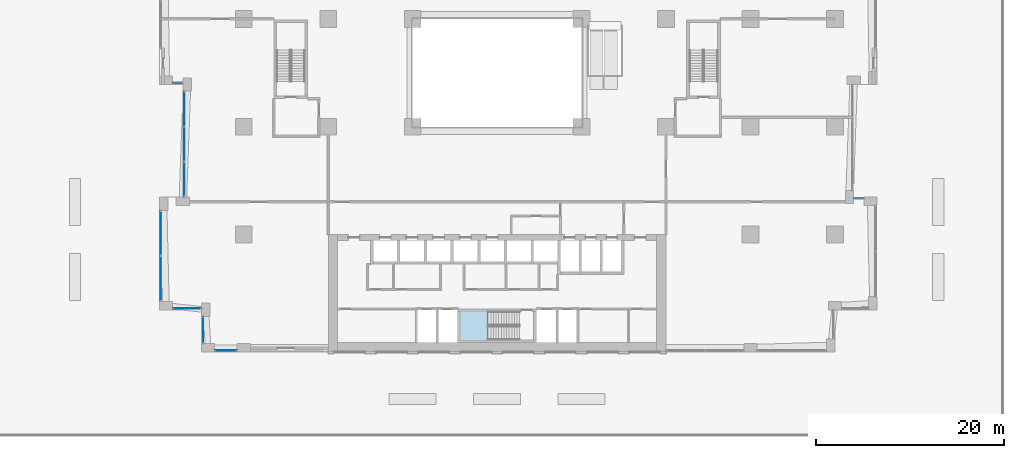
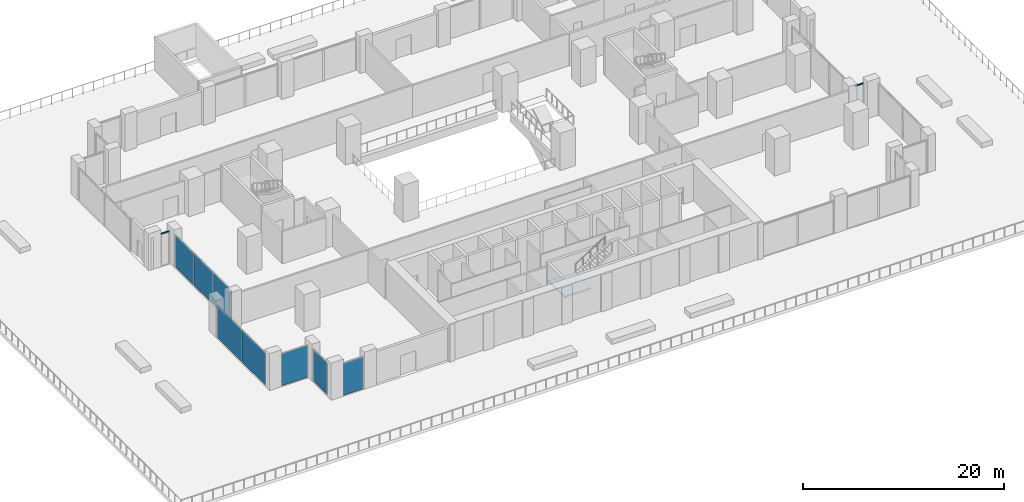
# One storey, part 8 of 19: 8 plates, 2 members, 1 slab, 8 elements without a shape of their own.
"""IFC4 building model written with IfcOpenShell, lengths in metres."""

from ifc_helpers import new_model, si_unit, direction, frame, origin, origin_2d, place, context, subcontext, project, spatial, polyline, rectangle, outline, extrude, material, layer, layer_set, material_profile, profile_set, type_object, element, aggregate, save


model = new_model("IFC4")

# Units and contexts
model_context = context("Model", 3, precision=1e-05, world=origin(), true_north=direction((0.0, 1.0)))
body_context = subcontext(model_context, "Body", "Model", "MODEL_VIEW")
ifc_project = project(units=[si_unit("LENGTHUNIT", "METRE"), si_unit("AREAUNIT", "SQUARE_METRE"), si_unit("VOLUMEUNIT", "CUBIC_METRE"), si_unit("PLANEANGLEUNIT", "RADIAN"), si_unit("MASSUNIT", "GRAM", prefix="KILO")], contexts=[model_context])

# Site, building, storey
site_placement = place(None, origin())
site = spatial("IfcSite", under=ifc_project, at=site_placement, CompositionType="ELEMENT")
building_placement = place(site_placement, origin())
building = spatial("IfcBuilding", under=site, at=building_placement, Name="Brigalow Station Residences", CompositionType="ELEMENT")
storey_placement = place(building_placement, frame((0.0, 0.0, 11.0)))
storey = spatial("IfcBuildingStorey", under=building, at=storey_placement, Name="L02", CompositionType="ELEMENT", Elevation=11.0)

# Curtain wall, member
ifc_material_1 = material(Name="Aluminium", Category="aluminium")
ifc_layer_1 = layer(ifc_material_1, 0.199951171875)
ifc_layer_set_1 = layer_set([ifc_layer_1], Name="PODIUM UNITISED GLAZING CURTAIN WALL")
curtain_wall_type = type_object("IfcCurtainWallType", Name="PODIUM UNITISED GLAZING CURTAIN WALL", PredefinedType="NOTDEFINED", material=ifc_layer_set_1)
curtain_wall_1_placement = place(storey_placement, origin())
curtain_wall_1 = element("IfcCurtainWall", 1, at=curtain_wall_1_placement, inside=storey, type_object=curtain_wall_type, Name="L02/cw/podium-W-L02-14-7", PredefinedType="NOTDEFINED")
ifc_material_2 = material(Name="Aluminium", Category="aluminium")
ifc_material_profile = material_profile(ifc_material_2, rectangle(XDim=0.06494140625, YDim=0.14990234375, at=origin_2d()), Name="PODIUM UNITISED GLAZING TRANSOM 65x150")
ifc_profile_set = profile_set([ifc_material_profile], Name="Aluminium")
member_type = type_object("IfcMemberType", Name="PODIUM UNITISED GLAZING TRANSOM 65x150", PredefinedType="USERDEFINED", material=ifc_profile_set)
member_1_placement = place(storey_placement, frame((75.034912109375, 16.35009765625, 3.867431640625), z_axis=(-1.0, 0.0, 0.0), x_axis=(0.0, -1.0, 0.0)))
member_1 = element("IfcMember", 2, at=member_1_placement, type_object=member_type, Name="L02/cw/podium-W-L02-14-7/T00-00", ObjectType="TRANSOM", PredefinedType="USERDEFINED", context=body_context, shape_type="SweptSolid", body=[
    extrude(rectangle(XDim=0.06494140625, YDim=0.14990234375, at=origin_2d()), origin(), (0.0, 0.0, 1.0), 0.969970703125),
])
aggregate(curtain_wall_1, [member_1])

curtain_wall_2_placement = place(storey_placement, origin())
curtain_wall_2 = element("IfcCurtainWall", 3, at=curtain_wall_2_placement, inside=storey, type_object=curtain_wall_type, Name="L02/cw/podium-W-L02-46-21", PredefinedType="NOTDEFINED")
member_2_placement = place(storey_placement, frame((1.465087890625, 28.64990234375, 3.867431640625), z_axis=(1.0, 0.0, 0.0), x_axis=(0.0, 1.0, 0.0)))
member_2 = element("IfcMember", 4, at=member_2_placement, type_object=member_type, Name="L02/cw/podium-W-L02-46-21/T00-00", ObjectType="TRANSOM", PredefinedType="USERDEFINED", context=body_context, shape_type="SweptSolid", body=[
    extrude(rectangle(XDim=0.06494140625, YDim=0.14990234375, at=origin_2d()), origin(), (0.0, 0.0, 1.0), 0.969970703125),
])
aggregate(curtain_wall_2, [member_2])

# Curtain wall, plate
curtain_wall_3_placement = place(storey_placement, origin())
curtain_wall_3 = element("IfcCurtainWall", 5, at=curtain_wall_3_placement, inside=storey, type_object=curtain_wall_type, Name="L02/cw/podium-W-L02-1-1", PredefinedType="NOTDEFINED")
ifc_material_3 = material(Name="Laminated low-emissivity double-glazed unit")
ifc_layer_2 = layer(ifc_material_3, 0.0400390625)
ifc_layer_set_2 = layer_set([ifc_layer_2], Name="PODIUM UNITISED GLAZING PANEL 40")
plate_type = type_object("IfcPlateType", Name="PODIUM UNITISED GLAZING PANEL 40", PredefinedType="CURTAIN_PANEL", material=ifc_layer_set_2)
plate_1_placement = place(storey_placement, frame((7.10009765625, 0.14990234375, 0.0), z_axis=(0.0, 0.0, 1.0), x_axis=(1.0, 0.0, 0.0)))
plate_1 = element("IfcPlate", 6, at=plate_1_placement, type_object=plate_type, Name="L02/cw/podium-W-L02-1-1/P00-00", PredefinedType="CURTAIN_PANEL", context=body_context, shape_type="SweptSolid", body=[
    extrude(rectangle(XDim=2.27001953125, YDim=0.0400390625, at=origin_2d()), origin(), (0.0, 0.0, 1.0), 3.8349609375),
])
aggregate(curtain_wall_3, [plate_1])

# Curtain wall, plates
curtain_wall_4_placement = place(storey_placement, origin())
curtain_wall_4 = element("IfcCurtainWall", 7, at=curtain_wall_4_placement, inside=storey, type_object=curtain_wall_type, Name="L02/cw/podium-W-L02-47-22", PredefinedType="NOTDEFINED")
plate_2_placement = place(storey_placement, frame((2.64990234375, 25.900390625, 0.0), z_axis=(0.0, 0.0, 1.0), x_axis=(0.0, -1.0, 0.0)))
plate_2 = element("IfcPlate", 8, at=plate_2_placement, type_object=plate_type, Name="L02/cw/podium-W-L02-47-22/P00-00", PredefinedType="CURTAIN_PANEL", context=body_context, shape_type="SweptSolid", body=[
    extrude(rectangle(XDim=3.669189453125, YDim=0.0400390625, at=origin_2d()), origin(), (0.0, 0.0, 1.0), 3.8349609375),
])
plate_3_placement = place(storey_placement, frame((2.64990234375, 22.14990234375, 0.0), z_axis=(0.0, 0.0, 1.0), x_axis=(0.0, -1.0, 0.0)))
plate_3 = element("IfcPlate", 9, at=plate_3_placement, type_object=plate_type, Name="L02/cw/podium-W-L02-47-22/P01-00", PredefinedType="CURTAIN_PANEL", context=body_context, shape_type="SweptSolid", body=[
    extrude(rectangle(XDim=3.70166015625, YDim=0.0400390625, at=origin_2d()), origin(), (0.0, 0.0, 1.0), 3.8349609375),
])
plate_4_placement = place(storey_placement, frame((2.64990234375, 18.399658203125, 0.0), z_axis=(0.0, 0.0, 1.0), x_axis=(0.0, -1.0, 0.0)))
plate_4 = element("IfcPlate", 10, at=plate_4_placement, type_object=plate_type, Name="L02/cw/podium-W-L02-47-22/P02-00", PredefinedType="CURTAIN_PANEL", context=body_context, shape_type="SweptSolid", body=[
    extrude(rectangle(XDim=3.669189453125, YDim=0.0400390625, at=origin_2d()), origin(), (0.0, 0.0, 1.0), 3.8349609375),
])
aggregate(curtain_wall_4, [plate_2, plate_3, plate_4])

curtain_wall_5_placement = place(storey_placement, origin())
curtain_wall_5 = element("IfcCurtainWall", 11, at=curtain_wall_5_placement, inside=storey, type_object=curtain_wall_type, Name="L02/cw/podium-W-L02-51-23", PredefinedType="NOTDEFINED")
plate_5_placement = place(storey_placement, frame((0.14990234375, 12.65869140625, 0.0), z_axis=(0.0, 0.0, 1.0), x_axis=(0.0, -1.0, 0.0)))
plate_5 = element("IfcPlate", 12, at=plate_5_placement, type_object=plate_type, Name="L02/cw/podium-W-L02-51-23/P00-00", PredefinedType="CURTAIN_PANEL", context=body_context, shape_type="SweptSolid", body=[
    extrude(rectangle(XDim=4.75244140625, YDim=0.0400390625, at=origin_2d()), origin(), (0.0, 0.0, 1.0), 3.8349609375),
])
plate_6_placement = place(storey_placement, frame((0.14990234375, 7.84130859375, 0.0), z_axis=(0.0, 0.0, 1.0), x_axis=(0.0, -1.0, 0.0)))
plate_6 = element("IfcPlate", 13, at=plate_6_placement, type_object=plate_type, Name="L02/cw/podium-W-L02-51-23/P01-00", PredefinedType="CURTAIN_PANEL", context=body_context, shape_type="SweptSolid", body=[
    extrude(rectangle(XDim=4.75244140625, YDim=0.0400390625, at=origin_2d()), origin(), (0.0, 0.0, 1.0), 3.8349609375),
])
aggregate(curtain_wall_5, [plate_5, plate_6])

# Curtain wall, plate
curtain_wall_6_placement = place(storey_placement, origin())
curtain_wall_6 = element("IfcCurtainWall", 14, at=curtain_wall_6_placement, inside=storey, type_object=curtain_wall_type, Name="L02/cw/podium-W-L02-54-24", PredefinedType="NOTDEFINED")
plate_7_placement = place(storey_placement, frame((2.949951171875, 4.64990234375, 0.0), z_axis=(0.0, 0.0, 1.0), x_axis=(1.0, 0.0, 0.0)))
plate_7 = element("IfcPlate", 15, at=plate_7_placement, type_object=plate_type, Name="L02/cw/podium-W-L02-54-24/P00-00", PredefinedType="CURTAIN_PANEL", context=body_context, shape_type="SweptSolid", body=[
    extrude(rectangle(XDim=2.969970703125, YDim=0.0400390625, at=origin_2d()), origin(), (0.0, 0.0, 1.0), 3.8349609375),
])
aggregate(curtain_wall_6, [plate_7])

curtain_wall_7_placement = place(storey_placement, origin())
curtain_wall_7 = element("IfcCurtainWall", 16, at=curtain_wall_7_placement, inside=storey, type_object=curtain_wall_type, Name="L02/cw/podium-W-L02-55-25", PredefinedType="NOTDEFINED")
plate_8_placement = place(storey_placement, frame((4.64990234375, 2.35009765625, 0.0), z_axis=(0.0, 0.0, 1.0), x_axis=(0.0, -1.0, 0.0)))
plate_8 = element("IfcPlate", 17, at=plate_8_placement, type_object=plate_type, Name="L02/cw/podium-W-L02-55-25/P00-00", PredefinedType="CURTAIN_PANEL", context=body_context, shape_type="SweptSolid", body=[
    extrude(rectangle(XDim=2.77001953125, YDim=0.0400390625, at=origin_2d()), origin(), (0.0, 0.0, 1.0), 3.8349609375),
])
aggregate(curtain_wall_7, [plate_8])

# Stair, slab
ifc_material_4 = material(Name="Concrete C50", Category="concrete")
stair_type = type_object("IfcStairType", Name="EXIT STAIR 1400 2 FLIGHT", PredefinedType="HALF_TURN_STAIR", material=ifc_material_4)
stair_placement = place(storey_placement, origin())
stair = element("IfcStair", 18, at=stair_placement, inside=storey, type_object=stair_type, Name="EXIT STAIR S2 L02", PredefinedType="HALF_TURN_STAIR")
ifc_material_5 = material(Name="Concrete C50", Category="concrete")
ifc_layer_3 = layer(ifc_material_5, 0.199951171875)
ifc_layer_set_3 = layer_set([ifc_layer_3], Name="STAIR LANDING 200")
slab_type = type_object("IfcSlabType", Name="STAIR LANDING 200", PredefinedType="LANDING", material=ifc_layer_set_3)
slab_placement = place(storey_placement, frame((0.0, 0.0, 2.050048828125)))
slab = element("IfcSlab", 19, at=slab_placement, type_object=slab_type, Name="ST-2 landing 1", PredefinedType="LANDING", context=body_context, shape_type="SweptSolid", body=[
    extrude(outline(polyline([(32.0, 1.199951171875), (35.0400390625, 1.199951171875), (35.0400390625, 4.39990234375), (32.0, 4.39990234375), (32.0, 1.199951171875)])), origin(), (0.0, 0.0, 1.0), 0.199951171875),
])
aggregate(stair, [slab])

save(model, "model.ifc")
